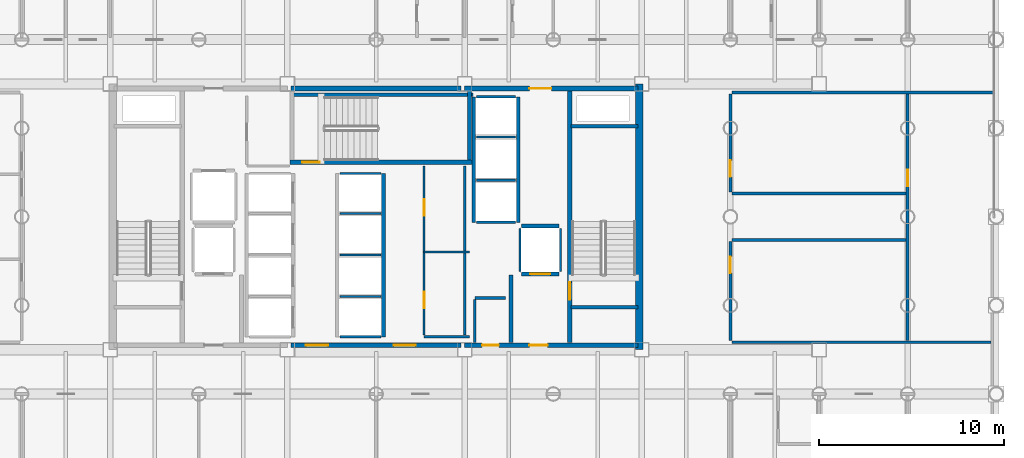
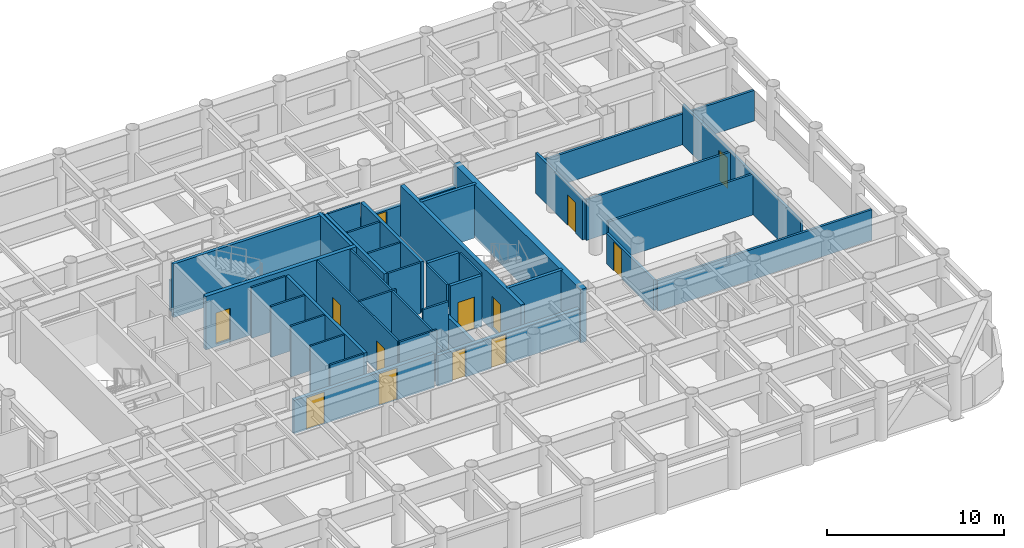
# One storey, part 18 of 22: 41 walls, 13 doors, 13 openings.
"""IFC4 building model written with IfcOpenShell, lengths in metres."""

import ifcopenshell
import ifcopenshell.guid

model = None  # the IFC model being written
_history = None  # IfcOwnerHistory: only IFC2X3 demands one
_inside = {}  # id of a spatial element -> (the spatial element, [elements in it])
_under = {}  # id of a project, library or spatial element -> (it, [spatial elements below it])
_declared = {}  # id of a project -> (the project, [libraries it declares])
_typed = {}  # id of a type object -> (the type object, [elements of that type])
_made_of = {}  # id of a material, layer set ... -> (it, [elements and type objects made of it])


def new_model(schema):
    """Start an empty IFC model of exactly this schema.

    Asked for "IFC4X3", IfcOpenShell would pick the latest addendum, in which some entities
    have other attributes; the version numbers below select the first issue.
    IFC2X3 requires an IfcOwnerHistory on every rooted entity: one is made here for all.
    """
    global model, _history
    if schema == "IFC4X3":
        model = ifcopenshell.file(schema_version=(4, 3, 0, 0))
    else:
        model = ifcopenshell.file(schema=schema)
    _inside.clear()
    _under.clear()
    _declared.clear()
    _typed.clear()
    _made_of.clear()
    _history = None
    if model.schema == "IFC2X3":
        org = make("IfcOrganization", Name="unknown")
        user = make(
            "IfcPersonAndOrganization",
            ThePerson=make("IfcPerson", FamilyName="unknown"),
            TheOrganization=org,
        )
        app = make(
            "IfcApplication",
            ApplicationDeveloper=org,
            Version="unknown",
            ApplicationFullName="unknown",
            ApplicationIdentifier="unknown",
        )
        _history = make(
            "IfcOwnerHistory",
            OwningUser=user,
            OwningApplication=app,
            ChangeAction="ADDED",
            CreationDate=0,
        )
    return model


def make(cls, **values):
    """One entity of the class cls with the attributes given. An attribute that is None is left unset."""
    return model.create_entity(
        cls, **{name: value for name, value in values.items() if value is not None}
    )


def rooted(cls, **values):
    """An entity with a GlobalId (a new one), such as an element, a storey or a relation."""
    return make(cls, GlobalId=ifcopenshell.guid.new(), OwnerHistory=_history, **values)


def si_unit(unit_type, name, prefix=None):
    """IfcSIUnit, for example si_unit("LENGTHUNIT", "METRE", prefix="MILLI")."""
    return make("IfcSIUnit", UnitType=unit_type, Prefix=prefix, Name=name)


def assignment(units):
    """IfcUnitAssignment: the units of a project."""
    return None if units is None else make("IfcUnitAssignment", Units=units)


def point(xyz):
    """IfcCartesianPoint."""
    return None if xyz is None else make("IfcCartesianPoint", Coordinates=xyz)


def direction(xyz):
    """IfcDirection."""
    return None if xyz is None else make("IfcDirection", DirectionRatios=xyz)


def frame(location, z_axis=None, x_axis=None):
    """IfcAxis2Placement3D, a coordinate frame: its origin and axes. An axis left out is left unset."""
    return make(
        "IfcAxis2Placement3D",
        Location=point(location),
        Axis=direction(z_axis),
        RefDirection=direction(x_axis),
    )


def frame_2d(location, x_axis=None):
    """IfcAxis2Placement2D, a coordinate frame in the plane: its origin and x axis."""
    return make(
        "IfcAxis2Placement2D", Location=point(location), RefDirection=direction(x_axis)
    )


def origin():
    """The frame at (0, 0, 0) with its axes left unset."""
    return frame((0.0, 0.0, 0.0))


def place(relative_to, where):
    """IfcLocalPlacement: puts the frame where relative to a parent placement (None: the world)."""
    return make(
        "IfcLocalPlacement", PlacementRelTo=relative_to, RelativePlacement=where
    )


def context(
    kind, dimensions, precision=None, world=None, true_north=None, identifier=None
):
    """IfcGeometricRepresentationContext, for example the 3D "Model" context."""
    return make(
        "IfcGeometricRepresentationContext",
        ContextIdentifier=identifier,
        ContextType=kind,
        CoordinateSpaceDimension=dimensions,
        Precision=precision,
        WorldCoordinateSystem=world,
        TrueNorth=true_north,
    )


def subcontext(parent, identifier, kind, view, scale=None):
    """IfcGeometricRepresentationSubContext, for example "Body" below "Model"."""
    return make(
        "IfcGeometricRepresentationSubContext",
        ContextIdentifier=identifier,
        ContextType=kind,
        ParentContext=parent,
        TargetScale=scale,
        TargetView=view,
    )


def project(units=None, contexts=None):
    """IfcProject with its units and contexts."""
    return rooted(
        "IfcProject",
        Name="project",
        RepresentationContexts=contexts,
        UnitsInContext=assignment(units),
    )


def spatial(cls, under=None, at=None, **own):
    """A site, building, storey or space (cls), placed at a placement, below another one or the project."""
    s = rooted(cls, ObjectPlacement=at, **own)
    if under is not None:
        _under.setdefault(under.id(), (under, []))[1].append(s)
    return s


def profile(cls, at=None, kind="AREA", **sizes):
    """A parametric profile (cls). Its sizes go by their IFC names, for example OverallWidth=200.0."""
    return make(cls, ProfileType=kind, Position=at, **sizes)


def rectangle(**sizes):
    """IfcRectangleProfileDef."""
    return profile("IfcRectangleProfileDef", **sizes)


def extrude(swept, where, along, depth):
    """IfcExtrudedAreaSolid: the profile swept, set in the frame where, extruded along a direction by depth."""
    return make(
        "IfcExtrudedAreaSolid",
        SweptArea=swept,
        Position=where,
        ExtrudedDirection=direction(along),
        Depth=depth,
    )


def shape(context_of_items, identifier, shape_type, items):
    """IfcShapeRepresentation: the items that make up one representation, for example the "Body"."""
    return make(
        "IfcShapeRepresentation",
        ContextOfItems=context_of_items,
        RepresentationIdentifier=identifier,
        RepresentationType=shape_type,
        Items=items,
    )


def material(Name=None, Category=None):
    """IfcMaterial."""
    return make("IfcMaterial", Name=Name, Category=Category)


def layer(
    of_material, thickness, ventilated=None, Name=None, Category=None, Priority=None
):
    """IfcMaterialLayer: one layer of a wall or slab, of a material (None: an air gap)."""
    return make(
        "IfcMaterialLayer",
        Material=of_material,
        LayerThickness=thickness,
        IsVentilated=ventilated,
        Name=Name,
        Category=Category,
        Priority=Priority,
    )


def layer_set(layers, Name=None):
    """IfcMaterialLayerSet."""
    return make("IfcMaterialLayerSet", MaterialLayers=layers, LayerSetName=Name)


def made_of(thing, what):
    """Note that an element or type object is made of a material, layer set ...; save() writes the relation."""
    if what is not None:
        _made_of.setdefault(what.id(), (what, []))[1].append(thing)
    return thing


def type_object(cls, material=None, **own):
    """A type object (cls), such as IfcWallType, which elements share."""
    return made_of(rooted(cls, **own), material)


def element(
    cls,
    number,
    at=None,
    inside=None,
    cuts=None,
    type_object=None,
    material=None,
    context=None,
    identifier="Body",
    shape_type=None,
    held_by="IfcProductDefinitionShape",
    body=None,
    shapes=None,
    **own,
):
    """One element of the class cls, such as IfcWall. Its Tag is "e" and its number.

    at: its placement. inside: the storey or other place that contains it. cuts: it is an
    opening in that element (IfcRelVoidsElement). A single representation is given by context,
    identifier, shape_type and body (its items); several are given by shapes. held_by: the class
    of the entity that holds the representations. save() writes the other relations.
    """
    e = rooted(cls, Tag="e%d" % number, ObjectPlacement=at, **own)
    if body is not None:
        shapes = [shape(context, identifier, shape_type, body)]
    if shapes is not None:
        e.Representation = make(held_by, Representations=shapes)
    if inside is not None:
        _inside.setdefault(inside.id(), (inside, []))[1].append(e)
    if cuts is not None:
        rooted(
            "IfcRelVoidsElement", RelatingBuildingElement=cuts, RelatedOpeningElement=e
        )
    if type_object is not None:
        _typed.setdefault(type_object.id(), (type_object, []))[1].append(e)
    return made_of(e, material)


def fill(opening, filler):
    """IfcRelFillsElement: the door or window that sits in an opening."""
    return rooted(
        "IfcRelFillsElement",
        RelatingOpeningElement=opening,
        RelatedBuildingElement=filler,
    )


def aggregate(whole, parts):
    """IfcRelAggregates: a whole, such as a stair, and the parts it consists of."""
    return rooted("IfcRelAggregates", RelatingObject=whole, RelatedObjects=parts)


def save(model, path):
    """Write the relations noted so far, then the file.

    IfcRelAggregates (storeys below a building ...), IfcRelContainedInSpatialStructure (elements
    in a storey), IfcRelDefinesByType, IfcRelAssociatesMaterial and IfcRelDeclares: one each for
    every whole, place, type object, material and project.
    """
    for whole, parts in _under.values():
        aggregate(whole, parts)
    for where, things in _inside.values():
        rooted(
            "IfcRelContainedInSpatialStructure",
            RelatedElements=things,
            RelatingStructure=where,
        )
    for kind, things in _typed.values():
        rooted("IfcRelDefinesByType", RelatedObjects=things, RelatingType=kind)
    for what, things in _made_of.values():
        rooted("IfcRelAssociatesMaterial", RelatedObjects=things, RelatingMaterial=what)
    for by, libraries in _declared.values():
        rooted("IfcRelDeclares", RelatingContext=by, RelatedDefinitions=libraries)
    model.write(path)


model = new_model("IFC4")

# Units and contexts
model_context = context("Model", 3, precision=1e-05, world=origin(), true_north=direction((0.0, 1.0)))
body_context = subcontext(model_context, "Body", "Model", "MODEL_VIEW")
ifc_project = project(units=[si_unit("LENGTHUNIT", "METRE"), si_unit("AREAUNIT", "SQUARE_METRE"), si_unit("VOLUMEUNIT", "CUBIC_METRE"), si_unit("PLANEANGLEUNIT", "RADIAN"), si_unit("MASSUNIT", "GRAM", prefix="KILO")], contexts=[model_context])

# Site, building, storey
site_placement = place(None, origin())
site = spatial("IfcSite", under=ifc_project, at=site_placement, CompositionType="ELEMENT")
building_placement = place(site_placement, origin())
building = spatial("IfcBuilding", under=site, at=building_placement, Name="Kallvorn Hotel Tower", CompositionType="ELEMENT")
storey_placement = place(building_placement, frame((0.0, 0.0, 59.60009765625)))
storey = spatial("IfcBuildingStorey", under=building, at=storey_placement, Name="L13", CompositionType="ELEMENT", Elevation=59.60009765625)

# Walls
ifc_material_1 = material(Name="Concrete C50/60", Category="concrete")
ifc_layer_1 = layer(ifc_material_1, 0.39990234375)
ifc_layer_set_1 = layer_set([ifc_layer_1], Name="WL_CORE_400")
wall_type_1 = type_object("IfcWallType", Name="WL_CORE_400", PredefinedType="SHEAR", material=ifc_layer_set_1)
wall_1_placement = place(storey_placement, frame((14.264892578125, -7.199951171875, -0.18017578125), z_axis=(0.0, 0.0, 1.0), x_axis=(0.0, 1.0, 0.0)))
element("IfcWall", 1, at=wall_1_placement, inside=storey, type_object=wall_type_1, Name="L13 Core East Shear Wall", PredefinedType="SHEAR", context=body_context, shape_type="SweptSolid", body=[
    extrude(rectangle(XDim=14.39990234375, YDim=0.39990234375, at=frame_2d((7.199951171875, 0.0))), origin(), (0.0, 0.0, 1.0), 3.7001953125),
])
ifc_material_2 = material(Name="Concrete C40/50", Category="concrete")
ifc_layer_2 = layer(ifc_material_2, 0.219970703125)
ifc_layer_set_2 = layer_set([ifc_layer_2], Name="WL_FFL_220")
wall_type_2 = type_object("IfcWallType", Name="WL_FFL_220", PredefinedType="SOLIDWALL", material=ifc_layer_set_2)
wall_2_placement = place(storey_placement, frame((7.300048828125, -6.820068359375, 0.0), z_axis=(0.0, 0.0, 1.0), x_axis=(0.0, 1.0, 0.0)))
element("IfcWall", 2, at=wall_2_placement, inside=storey, type_object=wall_type_2, Name="L13 Firefighting Lobby East Divider Wall", PredefinedType="SOLIDWALL", context=body_context, shape_type="SweptSolid", body=[
    extrude(rectangle(XDim=3.670166015625, YDim=0.219970703125, at=frame_2d((1.8349609375, 0.0))), origin(), (0.0, 0.0, 1.0), 2.119873046875),
])
ifc_material_3 = material(Name="Concrete C40/50", Category="concrete")
ifc_layer_3 = layer(ifc_material_3, 0.199951171875)
ifc_layer_set_3 = layer_set([ifc_layer_3], Name="WL_HOIST_200")
wall_type_3 = type_object("IfcWallType", Name="WL_HOIST_200", PredefinedType="SOLIDWALL", material=ifc_layer_set_3)
for number, where, z_axis, x_axis, name in (
    (3, (10.550048828125, -4.89990234375, -0.18017578125), (0.0, 0.0, 1.0), (1.0, 0.0, 0.0), "L13 Stair ST2 South Wall"),
    (4, (10.550048828125, 4.89990234375, -0.18017578125), (0.0, 0.0, 1.0), (1.0, 0.0, 0.0), "L13 Stair ST2 North Wall"),
):
    element("IfcWall", number, at=place(storey_placement, frame(where, z_axis=z_axis, x_axis=x_axis)), inside=storey, type_object=wall_type_3, Name=name, PredefinedType="SOLIDWALL", context=body_context, shape_type="SweptSolid", body=[
        extrude(rectangle(XDim=3.64990234375, YDim=0.199951171875, at=frame_2d((1.824951171875, 0.0))), origin(), (0.0, 0.0, 1.0), 3.7001953125),
    ])
wall_3_placement = place(storey_placement, frame((-4.64990234375, 6.610107421875, -0.18017578125), z_axis=(0.0, 0.0, 1.0), x_axis=(1.0, 0.0, 0.0)))
element("IfcWall", 5, at=wall_3_placement, inside=storey, type_object=wall_type_3, Name="L13 Stair ST3 Shaft North Wall", PredefinedType="SOLIDWALL", context=body_context, shape_type="SweptSolid", body=[
    extrude(rectangle(XDim=9.89990234375, YDim=0.199951171875, at=frame_2d((4.949951171875, 0.0))), origin(), (0.0, 0.0, 1.0), 3.7001953125),
])
wall_4_placement = place(storey_placement, frame((5.06005859375, 3.080078125, -0.18017578125), z_axis=(0.0, 0.0, 1.0), x_axis=(0.0, 1.0, 0.0)))
element("IfcWall", 6, at=wall_4_placement, inside=storey, type_object=wall_type_3, Name="L13 Stair ST3 East Wall", PredefinedType="SOLIDWALL", context=body_context, shape_type="SweptSolid", body=[
    extrude(rectangle(XDim=3.739990234375, YDim=0.199951171875, at=frame_2d((1.8701171875, 0.0))), origin(), (0.0, 0.0, 1.0), 3.7001953125),
])
wall_5_placement = place(storey_placement, frame((0.39990234375, -6.5, 0.0), z_axis=(0.0, 0.0, 1.0), x_axis=(0.0, 1.0, 0.0)))
element("IfcWall", 7, at=wall_5_placement, inside=storey, type_object=wall_type_3, Name="L13 Lift Bank B2 Rear Shaft Wall", PredefinedType="SOLIDWALL", context=body_context, shape_type="SweptSolid", body=[
    extrude(rectangle(XDim=8.85009765625, YDim=0.199951171875, at=frame_2d((4.425048828125, 0.0))), origin(), (0.0, 0.0, 1.0), 3.52001953125),
])
for number, where, z_axis, x_axis, name in (
    (8, (7.699951171875, -0.300048828125, 0.0), (0.0, 0.0, 1.0), (0.0, 1.0, 0.0), "L13 Lift Bank OBS Landing Wall"),
    (9, (5.300048828125, -0.300048828125, 0.0), (0.0, 0.0, 1.0), (0.0, 1.0, 0.0), "L13 Lift Bank OBS Rear Shaft Wall"),
):
    element("IfcWall", number, at=place(storey_placement, frame(where, z_axis=z_axis, x_axis=x_axis)), inside=storey, type_object=wall_type_3, Name=name, PredefinedType="SOLIDWALL", context=body_context, shape_type="SweptSolid", body=[
        extrude(rectangle(XDim=6.800048828125, YDim=0.199951171875, at=frame_2d((3.39990234375, 0.0))), origin(), (0.0, 0.0, 1.0), 3.52001953125),
    ])

# Wall, opening, door
wall_6_placement = place(storey_placement, frame((7.8798828125, -3.10009765625, 0.0), z_axis=(0.0, 0.0, 1.0), x_axis=(1.0, 0.0, 0.0)))
wall_6 = element("IfcWall", 10, at=wall_6_placement, inside=storey, type_object=wall_type_3, Name="L13 FL-2 Landing Wall", PredefinedType="SOLIDWALL", context=body_context, shape_type="SweptSolid", body=[
    extrude(rectangle(XDim=2.0400390625, YDim=0.199951171875, at=frame_2d((1.02001953125, 0.0))), origin(), (0.0, 0.0, 1.0), 3.52001953125),
])
opening_1_placement = place(wall_6_placement, frame((0.469970703125, 0.0, 0.0)))
opening_1 = element("IfcOpeningElement", 11, at=opening_1_placement, cuts=wall_6, Name="Opening LD-FL-2", PredefinedType="OPENING", context=body_context, shape_type="SweptSolid", body=[
    extrude(rectangle(XDim=1.10009765625, YDim=2.199951171875, at=frame_2d((0.550048828125, 1.10009765625))), frame((0.0, 0.114990234375, 0.0), z_axis=(0.0, -1.0, 0.0), x_axis=(1.0, 0.0, 0.0)), (0.0, 0.0, 1.0), 0.22998046875),
])
ifc_material_4 = material(Name="Brushed stainless-steel automatic sliding lift landing door", Category="steel")
door_type_1 = type_object("IfcDoorType", Name="LD_PASS_1100x2200", OperationType="SLIDING_TO_LEFT", PredefinedType="DOOR", material=ifc_material_4)
door_1_placement = place(opening_1_placement, origin())
door_1 = element("IfcDoor", 12, at=door_1_placement, inside=storey, type_object=door_type_1, Name="L13 Lift Landing Sliding Door LD-FL-2", OperationType="SLIDING_TO_LEFT", OverallHeight=2.199951171875, OverallWidth=1.10009765625, PredefinedType="DOOR", context=body_context, shape_type="SweptSolid", body=[
    extrude(rectangle(XDim=1.10009765625, YDim=2.199951171875, at=frame_2d((0.550048828125, 1.10009765625))), frame((0.0, 0.02490234375, 0.0), z_axis=(0.0, -1.0, 0.0), x_axis=(1.0, 0.0, 0.0)), (0.0, 0.0, 1.0), 0.050048828125),
])
fill(opening_1, door_1)

# Walls
wall_7_placement = place(storey_placement, frame((7.8798828125, -0.5, 0.0), z_axis=(0.0, 0.0, 1.0), x_axis=(1.0, 0.0, 0.0)))
element("IfcWall", 13, at=wall_7_placement, inside=storey, type_object=wall_type_3, Name="L13 FL-2 Rear Shaft Wall", PredefinedType="SOLIDWALL", context=body_context, shape_type="SweptSolid", body=[
    extrude(rectangle(XDim=2.0400390625, YDim=0.199951171875, at=frame_2d((1.02001953125, 0.0))), origin(), (0.0, 0.0, 1.0), 3.52001953125),
])
ifc_material_5 = material(Name="Fire-rated double-layer acoustic gypsum drywall EI 60")
ifc_layer_4 = layer(ifc_material_5, 0.1201171875)
ifc_layer_set_4 = layer_set([ifc_layer_4], Name="WL_INT_120")
wall_type_4 = type_object("IfcWallType", Name="WL_INT_120", PredefinedType="PARTITIONING", material=ifc_layer_set_4)
for number, where, z_axis, x_axis, name in (
    (14, (-1.9599609375, -6.5, 0.0), (0.0, 0.0, 1.0), (1.0, 0.0, 0.0), "L13 Lift Bank B2 South Closure Wall"),
    (15, (-1.9599609375, -4.324951171875, 0.0), (0.0, 0.0, 1.0), (1.0, 0.0, 0.0), "L13 PL-05 Hoistway Divider"),
    (16, (-1.9599609375, -2.074951171875, 0.0), (0.0, 0.0, 1.0), (1.0, 0.0, 0.0), "L13 PL-06 Hoistway Divider"),
    (17, (-1.9599609375, 0.175048828125, 0.0), (0.0, 0.0, 1.0), (1.0, 0.0, 0.0), "L13 PL-07 Hoistway Divider"),
    (18, (-1.9599609375, 2.35009765625, 0.0), (0.0, 0.0, 1.0), (1.0, 0.0, 0.0), "L13 PL-08 Hoistway Divider"),
):
    element("IfcWall", number, at=place(storey_placement, frame(where, z_axis=z_axis, x_axis=x_axis)), inside=storey, type_object=wall_type_4, Name=name, PredefinedType="PARTITIONING", context=body_context, shape_type="SweptSolid", body=[
        extrude(rectangle(XDim=2.219970703125, YDim=0.1201171875, at=frame_2d((1.10986328125, 0.0))), origin(), (0.0, 0.0, 1.0), 3.52001953125),
    ])
for number, where, z_axis, x_axis, name in (
    (19, (5.43994140625, -0.300048828125, 0.0), (0.0, 0.0, 1.0), (1.0, 0.0, 0.0), "L13 Lift Bank OBS South Closure Wall"),
    (20, (5.43994140625, 1.97509765625, 0.0), (0.0, 0.0, 1.0), (1.0, 0.0, 0.0), "L13 OB-01 Hoistway Divider"),
    (21, (5.43994140625, 4.324951171875, 0.0), (0.0, 0.0, 1.0), (1.0, 0.0, 0.0), "L13 OB-02 Hoistway Divider"),
    (22, (5.43994140625, 6.5, 0.0), (0.0, 0.0, 1.0), (1.0, 0.0, 0.0), "L13 OB-03 Hoistway Divider"),
):
    element("IfcWall", number, at=place(storey_placement, frame(where, z_axis=z_axis, x_axis=x_axis)), inside=storey, type_object=wall_type_4, Name=name, PredefinedType="PARTITIONING", context=body_context, shape_type="SweptSolid", body=[
        extrude(rectangle(XDim=2.1201171875, YDim=0.1201171875, at=frame_2d((1.06005859375, 0.0))), origin(), (0.0, 0.0, 1.0), 3.52001953125),
    ])
for number, where, z_axis, x_axis, name in (
    (23, (7.800048828125, -2.9599609375, 0.0), (0.0, 0.0, 1.0), (0.0, 1.0, 0.0), "L13 FL-2 West Shaft Wall"),
    (24, (10.0, -2.9599609375, 0.0), (0.0, 0.0, 1.0), (0.0, 1.0, 0.0), "L13 FL-2 East Shaft Wall"),
):
    element("IfcWall", number, at=place(storey_placement, frame(where, z_axis=z_axis, x_axis=x_axis)), inside=storey, type_object=wall_type_4, Name=name, PredefinedType="PARTITIONING", context=body_context, shape_type="SweptSolid", body=[
        extrude(rectangle(XDim=2.320068359375, YDim=0.1201171875, at=frame_2d((1.16015625, 0.0))), origin(), (0.0, 0.0, 1.0), 3.52001953125),
    ])
for number, where, z_axis, x_axis, name in (
    (25, (2.60009765625, -6.5, 0.0), (0.0, 0.0, 1.0), (1.0, 0.0, 0.0), "L13 East Core Amenities and Minibar Store Partition"),
    (26, (2.60009765625, -1.89990234375, 0.0), (0.0, 0.0, 1.0), (1.0, 0.0, 0.0), "L13 East Core Amenities and Minibar Store Partition"),
):
    element("IfcWall", number, at=place(storey_placement, frame(where, z_axis=z_axis, x_axis=x_axis)), inside=storey, type_object=wall_type_4, Name=name, PredefinedType="PARTITIONING", context=body_context, shape_type="SweptSolid", body=[
        extrude(rectangle(XDim=2.449951171875, YDim=0.1201171875, at=frame_2d((1.22509765625, 0.0))), origin(), (0.0, 0.0, 1.0), 3.52001953125),
    ])

# Wall, openings, doors
wall_8_placement = place(storey_placement, frame((2.60009765625, -6.4150390625, 0.0), z_axis=(0.0, 0.0, 1.0), x_axis=(0.0, 1.0, 0.0)))
wall_8 = element("IfcWall", 27, at=wall_8_placement, inside=storey, type_object=wall_type_4, Name="L13 East Core Amenities and Minibar Store Partition", PredefinedType="PARTITIONING", context=body_context, shape_type="SweptSolid", body=[
    extrude(rectangle(XDim=9.1650390625, YDim=0.1201171875, at=frame_2d((4.58251953125, 0.0))), origin(), (0.0, 0.0, 1.0), 3.52001953125),
])
opening_2_placement = place(wall_8_placement, frame((1.465087890625, 0.0, 0.0)))
opening_2 = element("IfcOpeningElement", 28, at=opening_2_placement, cuts=wall_8, Name="Opening SVD1", PredefinedType="OPENING", context=body_context, shape_type="SweptSolid", body=[
    extrude(rectangle(XDim=0.89990234375, YDim=2.10009765625, at=frame_2d((0.449951171875, 1.050048828125))), frame((0.0, 0.074951171875, 0.0), z_axis=(0.0, -1.0, 0.0), x_axis=(1.0, 0.0, 0.0)), (0.0, 0.0, 1.0), 0.150146484375),
])
opening_3_placement = place(wall_8_placement, frame((6.465087890625, 0.0, 0.0)))
opening_3 = element("IfcOpeningElement", 29, at=opening_3_placement, cuts=wall_8, Name="Opening SVD1", PredefinedType="OPENING", context=body_context, shape_type="SweptSolid", body=[
    extrude(rectangle(XDim=0.89990234375, YDim=2.10009765625, at=frame_2d((0.449951171875, 1.050048828125))), frame((0.0, 0.074951171875, 0.0), z_axis=(0.0, -1.0, 0.0), x_axis=(1.0, 0.0, 0.0)), (0.0, 0.0, 1.0), 0.150146484375),
])
ifc_material_6 = material(Name="Galvanised painted steel fire-rated door assembly", Category="steel")
door_type_2 = type_object("IfcDoorType", Name="DR_SERV_900x2100", OperationType="NOTDEFINED", PredefinedType="DOOR", material=ifc_material_6)
door_2_placement = place(opening_2_placement, origin())
door_2 = element("IfcDoor", 30, at=door_2_placement, inside=storey, type_object=door_type_2, Name="L13 East Core Amenities and Minibar Store Door", OperationType="SINGLE_SWING_RIGHT", OverallHeight=2.10009765625, OverallWidth=0.89990234375, PredefinedType="DOOR", context=body_context, shape_type="SweptSolid", body=[
    extrude(rectangle(XDim=0.89990234375, YDim=2.10009765625, at=frame_2d((0.449951171875, 1.050048828125))), frame((0.0, 0.02490234375, 0.0), z_axis=(0.0, -1.0, 0.0), x_axis=(1.0, 0.0, 0.0)), (0.0, 0.0, 1.0), 0.050048828125),
])
fill(opening_2, door_2)
door_3_placement = place(opening_3_placement, origin())
door_3 = element("IfcDoor", 31, at=door_3_placement, inside=storey, type_object=door_type_2, Name="L13 East Core Cleaners and Janitor Room Door", OperationType="SINGLE_SWING_LEFT", OverallHeight=2.10009765625, OverallWidth=0.89990234375, PredefinedType="DOOR", context=body_context, shape_type="SweptSolid", body=[
    extrude(rectangle(XDim=0.89990234375, YDim=2.10009765625, at=frame_2d((0.449951171875, 1.050048828125))), frame((0.0, 0.02490234375, 0.0), z_axis=(0.0, -1.0, 0.0), x_axis=(1.0, 0.0, 0.0)), (0.0, 0.0, 1.0), 0.050048828125),
])
fill(opening_3, door_3)

# Walls
wall_9_placement = place(storey_placement, frame((4.800048828125, -6.4150390625, 0.0), z_axis=(0.0, 0.0, 1.0), x_axis=(0.0, 1.0, 0.0)))
element("IfcWall", 32, at=wall_9_placement, inside=storey, type_object=wall_type_4, Name="L13 East Core Amenities and Minibar Store Partition", PredefinedType="PARTITIONING", context=body_context, shape_type="SweptSolid", body=[
    extrude(rectangle(XDim=9.1650390625, YDim=0.1201171875, at=frame_2d((4.58251953125, 0.0))), origin(), (0.0, 0.0, 1.0), 3.52001953125),
])
ifc_material_7 = material(Name="Fire-rated double-layer acoustic gypsum drywall EI 60")
ifc_layer_5 = layer(ifc_material_7, 0.14990234375)
ifc_layer_set_5 = layer_set([ifc_layer_5], Name="WL_PART_150")
wall_type_5 = type_object("IfcWallType", Name="WL_PART_150", PredefinedType="PARTITIONING", material=ifc_layer_set_5)
wall_10_placement = place(storey_placement, frame((19.280029296875, -6.800048828125, 0.0), z_axis=(0.0, 0.0, 1.0), x_axis=(1.0, 0.0, 0.0)))
element("IfcWall", 33, at=wall_10_placement, inside=storey, type_object=wall_type_5, Name="L13 L13 East Inner Club Bar Partition", PredefinedType="PARTITIONING", context=body_context, shape_type="SweptSolid", body=[
    extrude(rectangle(XDim=14.030029296875, YDim=0.14990234375, at=frame_2d((7.01513671875, 0.0))), origin(), (0.0, 0.0, 1.0), 2.119873046875),
])
for number, where, z_axis, x_axis, name in (
    (34, (19.280029296875, -1.260009765625, 0.0), (0.0, 0.0, 1.0), (1.0, 0.0, 0.0), "L13 L13 East Inner Club Bar Partition"),
    (35, (19.280029296875, 1.260009765625, 0.0), (0.0, 0.0, 1.0), (1.0, 0.0, 0.0), "L13 L13 East Inner Screening Salon Partition"),
):
    element("IfcWall", number, at=place(storey_placement, frame(where, z_axis=z_axis, x_axis=x_axis)), inside=storey, type_object=wall_type_5, Name=name, PredefinedType="PARTITIONING", context=body_context, shape_type="SweptSolid", body=[
        extrude(rectangle(XDim=9.43994140625, YDim=0.14990234375, at=frame_2d((4.719970703125, 0.0))), origin(), (0.0, 0.0, 1.0), 2.81982421875),
    ])
wall_11_placement = place(storey_placement, frame((19.280029296875, 6.737548828125, 0.0), z_axis=(0.0, 0.0, 1.0), x_axis=(1.0, 0.0, 0.0)))
element("IfcWall", 36, at=wall_11_placement, inside=storey, type_object=wall_type_5, Name="L13 L13 East Inner Screening Salon Partition", PredefinedType="PARTITIONING", context=body_context, shape_type="SweptSolid", body=[
    extrude(rectangle(XDim=14.14990234375, YDim=0.14990234375, at=frame_2d((7.074951171875, 0.0))), origin(), (0.0, 0.0, 1.0), 2.119873046875),
])

# Wall, opening, door
wall_12_placement = place(storey_placement, frame((19.199951171875, -6.715087890625, 0.0), z_axis=(0.0, 0.0, 1.0), x_axis=(0.0, 1.0, 0.0)))
wall_12 = element("IfcWall", 37, at=wall_12_placement, inside=storey, type_object=wall_type_5, Name="L13 L13 East Inner Club Bar Partition", PredefinedType="PARTITIONING", context=body_context, shape_type="SweptSolid", body=[
    extrude(rectangle(XDim=5.3701171875, YDim=0.14990234375, at=frame_2d((2.68505859375, 0.0))), origin(), (0.0, 0.0, 1.0), 2.119873046875),
])
opening_4_placement = place(wall_12_placement, frame((3.66015625, 0.0, 0.0)))
opening_4 = element("IfcOpeningElement", 38, at=opening_4_placement, cuts=wall_12, Name="Opening SVD1A", PredefinedType="OPENING", context=body_context, shape_type="SweptSolid", body=[
    extrude(rectangle(XDim=0.89990234375, YDim=2.02001953125, at=frame_2d((0.449951171875, 1.010009765625))), frame((0.0, 0.08984375, 0.0), z_axis=(0.0, -1.0, 0.0), x_axis=(1.0, 0.0, 0.0)), (0.0, 0.0, 1.0), 0.179931640625),
])
ifc_material_8 = material(Name="Galvanised painted steel fire-rated door assembly", Category="steel")
door_type_3 = type_object("IfcDoorType", Name="DR_SERV_900x2020", OperationType="NOTDEFINED", PredefinedType="DOOR", material=ifc_material_8)
door_4_placement = place(opening_4_placement, origin())
door_4 = element("IfcDoor", 39, at=door_4_placement, inside=storey, type_object=door_type_3, Name="L13 L13 East Inner Club Bar Door", OperationType="SINGLE_SWING_RIGHT", OverallHeight=2.02001953125, OverallWidth=0.89990234375, PredefinedType="DOOR", context=body_context, shape_type="SweptSolid", body=[
    extrude(rectangle(XDim=0.89990234375, YDim=2.02001953125, at=frame_2d((0.449951171875, 1.010009765625))), frame((0.0, 0.02490234375, 0.0), z_axis=(0.0, -1.0, 0.0), x_axis=(1.0, 0.0, 0.0)), (0.0, 0.0, 1.0), 0.050048828125),
])
fill(opening_4, door_4)

wall_13_placement = place(storey_placement, frame((19.199951171875, 1.344970703125, 0.0), z_axis=(0.0, 0.0, 1.0), x_axis=(0.0, 1.0, 0.0)))
wall_13 = element("IfcWall", 40, at=wall_13_placement, inside=storey, type_object=wall_type_5, Name="L13 L13 East Inner Screening Salon Partition", PredefinedType="PARTITIONING", context=body_context, shape_type="SweptSolid", body=[
    extrude(rectangle(XDim=5.3076171875, YDim=0.14990234375, at=frame_2d((2.65380859375, 0.0))), origin(), (0.0, 0.0, 1.0), 2.81982421875),
])
opening_5_placement = place(wall_13_placement, frame((0.815185546875, 0.0, 0.0)))
opening_5 = element("IfcOpeningElement", 41, at=opening_5_placement, cuts=wall_13, Name="Opening SVD1", PredefinedType="OPENING", context=body_context, shape_type="SweptSolid", body=[
    extrude(rectangle(XDim=0.89990234375, YDim=2.10009765625, at=frame_2d((0.449951171875, 1.050048828125))), frame((0.0, 0.08984375, 0.0), z_axis=(0.0, -1.0, 0.0), x_axis=(1.0, 0.0, 0.0)), (0.0, 0.0, 1.0), 0.179931640625),
])
door_5_placement = place(opening_5_placement, origin())
door_5 = element("IfcDoor", 42, at=door_5_placement, inside=storey, type_object=door_type_2, Name="L13 L13 East Inner Screening Salon Door", OperationType="SINGLE_SWING_LEFT", OverallHeight=2.10009765625, OverallWidth=0.89990234375, PredefinedType="DOOR", context=body_context, shape_type="SweptSolid", body=[
    extrude(rectangle(XDim=0.89990234375, YDim=2.10009765625, at=frame_2d((0.449951171875, 1.050048828125))), frame((0.0, 0.02490234375, 0.0), z_axis=(0.0, -1.0, 0.0), x_axis=(1.0, 0.0, 0.0)), (0.0, 0.0, 1.0), 0.050048828125),
])
fill(opening_5, door_5)

wall_14_placement = place(storey_placement, frame((28.800048828125, -6.715087890625, 0.0), z_axis=(0.0, 0.0, 1.0), x_axis=(0.0, 1.0, 0.0)))
wall_14 = element("IfcWall", 43, at=wall_14_placement, inside=storey, type_object=wall_type_5, Name="L13 L13 East Inner Club Bar Partition", PredefinedType="PARTITIONING", context=body_context, shape_type="SweptSolid", body=[
    extrude(rectangle(XDim=13.36767578125, YDim=0.14990234375, at=frame_2d((6.683837890625, 0.0))), origin(), (0.0, 0.0, 1.0), 2.81982421875),
])
opening_6_placement = place(wall_14_placement, frame((8.370849609375, 0.0, 0.0)))
opening_6 = element("IfcOpeningElement", 44, at=opening_6_placement, cuts=wall_14, Name="Opening SVD1", PredefinedType="OPENING", context=body_context, shape_type="SweptSolid", body=[
    extrude(rectangle(XDim=0.89990234375, YDim=2.10009765625, at=frame_2d((0.449951171875, 1.050048828125))), frame((0.0, 0.08984375, 0.0), z_axis=(0.0, -1.0, 0.0), x_axis=(1.0, 0.0, 0.0)), (0.0, 0.0, 1.0), 0.179931640625),
])
door_6_placement = place(opening_6_placement, origin())
door_6 = element("IfcDoor", 45, at=door_6_placement, inside=storey, type_object=door_type_2, Name="L13 L13 E Cordillera Panorama Dining Salon Door", OperationType="SINGLE_SWING_RIGHT", OverallHeight=2.10009765625, OverallWidth=0.89990234375, PredefinedType="DOOR", context=body_context, shape_type="SweptSolid", body=[
    extrude(rectangle(XDim=0.89990234375, YDim=2.10009765625, at=frame_2d((0.449951171875, 1.050048828125))), frame((0.0, 0.02490234375, 0.0), z_axis=(0.0, -1.0, 0.0), x_axis=(1.0, 0.0, 0.0)), (0.0, 0.0, 1.0), 0.050048828125),
])
fill(opening_6, door_6)

# Walls
ifc_material_9 = material(Name="Moisture-resistant acoustic plumbing chase wall EI 60")
ifc_layer_6 = layer(ifc_material_9, 0.139892578125)
ifc_layer_set_6 = layer_set([ifc_layer_6], Name="WL_PLUMB_140")
wall_type_6 = type_object("IfcWallType", Name="WL_PLUMB_140", PredefinedType="PLUMBINGWALL", material=ifc_layer_set_6)
wall_15_placement = place(storey_placement, frame((5.35009765625, -4.39990234375, 0.0), z_axis=(0.0, 0.0, 1.0), x_axis=(1.0, 0.0, 0.0)))
element("IfcWall", 46, at=wall_15_placement, inside=storey, type_object=wall_type_6, Name="L13 Core Staff Restroom WC Partition", PredefinedType="PLUMBINGWALL", context=body_context, shape_type="SweptSolid", body=[
    extrude(rectangle(XDim=1.64990234375, YDim=0.139892578125, at=frame_2d((0.824951171875, 0.0))), origin(), (0.0, 0.0, 1.0), 3.52001953125),
])
wall_16_placement = place(storey_placement, frame((5.35009765625, -6.800048828125, 0.0), z_axis=(0.0, 0.0, 1.0), x_axis=(0.0, 1.0, 0.0)))
element("IfcWall", 47, at=wall_16_placement, inside=storey, type_object=wall_type_6, Name="L13 Core Staff Restroom WC Partition", PredefinedType="PLUMBINGWALL", context=body_context, shape_type="SweptSolid", body=[
    extrude(rectangle(XDim=2.31494140625, YDim=0.139892578125, at=frame_2d((1.157470703125, 0.0))), origin(), (0.0, 0.0, 1.0), 2.119873046875),
])

# Wall, openings, doors
ifc_material_10 = material(Name="Concrete C40/50", Category="concrete")
ifc_layer_7 = layer(ifc_material_10, 0.25)
ifc_layer_set_7 = layer_set([ifc_layer_7], Name="WL_SHAFT_250")
wall_type_7 = type_object("IfcWallType", Name="WL_SHAFT_250", PredefinedType="SOLIDWALL", material=ifc_layer_set_7)
wall_17_placement = place(storey_placement, frame((-4.60009765625, -6.949951171875, 0.0), z_axis=(0.0, 0.0, 1.0), x_axis=(1.0, 0.0, 0.0)))
wall_17 = element("IfcWall", 48, at=wall_17_placement, inside=storey, type_object=wall_type_7, Name="L13 Core South-Central Wall", PredefinedType="SOLIDWALL", context=body_context, shape_type="SweptSolid", body=[
    extrude(rectangle(XDim=9.2001953125, YDim=0.25, at=frame_2d((4.60009765625, 0.0))), origin(), (0.0, 0.0, 1.0), 2.31982421875),
])
opening_7_placement = place(wall_17_placement, frame((0.800048828125, 0.0, 0.0)))
opening_7 = element("IfcOpeningElement", 49, at=opening_7_placement, cuts=wall_17, Name="Opening FD2", PredefinedType="OPENING", context=body_context, shape_type="SweptSolid", body=[
    extrude(rectangle(XDim=1.199951171875, YDim=2.199951171875, at=frame_2d((0.60009765625, 1.10009765625))), frame((0.0, 0.139892578125, 0.0), z_axis=(0.0, -1.0, 0.0), x_axis=(1.0, 0.0, 0.0)), (0.0, 0.0, 1.0), 0.280029296875),
])
opening_8_placement = place(wall_17_placement, frame((5.550048828125, 0.0, 0.0)))
opening_8 = element("IfcOpeningElement", 50, at=opening_8_placement, cuts=wall_17, Name="Opening FD2", PredefinedType="OPENING", context=body_context, shape_type="SweptSolid", body=[
    extrude(rectangle(XDim=1.199951171875, YDim=2.199951171875, at=frame_2d((0.60009765625, 1.10009765625))), frame((0.0, 0.139892578125, 0.0), z_axis=(0.0, -1.0, 0.0), x_axis=(1.0, 0.0, 0.0)), (0.0, 0.0, 1.0), 0.280029296875),
])
ifc_material_11 = material(Name="Galvanised painted steel fire-rated door assembly", Category="steel")
door_type_4 = type_object("IfcDoorType", Name="DR_LOBBY_1200x2200", OperationType="DOUBLE_DOOR_SINGLE_SWING", PredefinedType="DOOR", material=ifc_material_11)
door_7_placement = place(opening_7_placement, origin())
door_7 = element("IfcDoor", 51, at=door_7_placement, inside=storey, type_object=door_type_4, Name="L13 West Passenger Lift Lobby Door", OperationType="DOUBLE_DOOR_SINGLE_SWING", OverallHeight=2.199951171875, OverallWidth=1.199951171875, PredefinedType="DOOR", context=body_context, shape_type="SweptSolid", body=[
    extrude(rectangle(XDim=1.199951171875, YDim=2.199951171875, at=frame_2d((0.60009765625, 1.10009765625))), frame((0.0, 0.02490234375, 0.0), z_axis=(0.0, -1.0, 0.0), x_axis=(1.0, 0.0, 0.0)), (0.0, 0.0, 1.0), 0.050048828125),
])
fill(opening_7, door_7)
door_8_placement = place(opening_8_placement, origin())
door_8 = element("IfcDoor", 52, at=door_8_placement, inside=storey, type_object=door_type_4, Name="L13 East Passenger Lift Lobby Door", OperationType="DOUBLE_DOOR_SINGLE_SWING", OverallHeight=2.199951171875, OverallWidth=1.199951171875, PredefinedType="DOOR", context=body_context, shape_type="SweptSolid", body=[
    extrude(rectangle(XDim=1.199951171875, YDim=2.199951171875, at=frame_2d((0.60009765625, 1.10009765625))), frame((0.0, 0.02490234375, 0.0), z_axis=(0.0, -1.0, 0.0), x_axis=(1.0, 0.0, 0.0)), (0.0, 0.0, 1.0), 0.050048828125),
])
fill(opening_8, door_8)

wall_18_placement = place(storey_placement, frame((4.800048828125, -6.949951171875, 0.0), z_axis=(0.0, 0.0, 1.0), x_axis=(1.0, 0.0, 0.0)))
wall_18 = element("IfcWall", 53, at=wall_18_placement, inside=storey, type_object=wall_type_7, Name="L13 Core South-East Wall", PredefinedType="SOLIDWALL", context=body_context, shape_type="SweptSolid", body=[
    extrude(rectangle(XDim=9.39990234375, YDim=0.25, at=frame_2d((4.699951171875, 0.0))), origin(), (0.0, 0.0, 1.0), 2.119873046875),
])
opening_9_placement = place(wall_18_placement, frame((3.5, 0.0, 0.0)))
opening_9 = element("IfcOpeningElement", 54, at=opening_9_placement, cuts=wall_18, Name="Opening FD1A", PredefinedType="OPENING", context=body_context, shape_type="SweptSolid", body=[
    extrude(rectangle(XDim=1.0, YDim=2.02001953125, at=frame_2d((0.5, 1.010009765625))), frame((0.0, 0.139892578125, 0.0), z_axis=(0.0, -1.0, 0.0), x_axis=(1.0, 0.0, 0.0)), (0.0, 0.0, 1.0), 0.280029296875),
])
opening_10_placement = place(wall_18_placement, frame((0.949951171875, 0.0, 0.0)))
opening_10 = element("IfcOpeningElement", 55, at=opening_10_placement, cuts=wall_18, Name="Opening SVD1A", PredefinedType="OPENING", context=body_context, shape_type="SweptSolid", body=[
    extrude(rectangle(XDim=0.89990234375, YDim=2.02001953125, at=frame_2d((0.449951171875, 1.010009765625))), frame((0.0, 0.139892578125, 0.0), z_axis=(0.0, -1.0, 0.0), x_axis=(1.0, 0.0, 0.0)), (0.0, 0.0, 1.0), 0.280029296875),
])
ifc_material_12 = material(Name="Galvanised painted steel fire-rated door assembly", Category="steel")
door_type_5 = type_object("IfcDoorType", Name="DR_FFL_1000x2020", OperationType="NOTDEFINED", PredefinedType="DOOR", material=ifc_material_12)
door_9_placement = place(opening_9_placement, origin())
door_9 = element("IfcDoor", 56, at=door_9_placement, inside=storey, type_object=door_type_5, Name="L13 Firefighting Lobby East Door", OperationType="SINGLE_SWING_RIGHT", OverallHeight=2.02001953125, OverallWidth=1.0, PredefinedType="DOOR", context=body_context, shape_type="SweptSolid", body=[
    extrude(rectangle(XDim=1.0, YDim=2.02001953125, at=frame_2d((0.5, 1.010009765625))), frame((0.0, 0.02490234375, 0.0), z_axis=(0.0, -1.0, 0.0), x_axis=(1.0, 0.0, 0.0)), (0.0, 0.0, 1.0), 0.050048828125),
])
fill(opening_9, door_9)
door_10_placement = place(opening_10_placement, origin())
door_10 = element("IfcDoor", 57, at=door_10_placement, inside=storey, type_object=door_type_3, Name="L13 Core Staff Restroom WC Door", OperationType="SINGLE_SWING_LEFT", OverallHeight=2.02001953125, OverallWidth=0.89990234375, PredefinedType="DOOR", context=body_context, shape_type="SweptSolid", body=[
    extrude(rectangle(XDim=0.89990234375, YDim=2.02001953125, at=frame_2d((0.449951171875, 1.010009765625))), frame((0.0, 0.02490234375, 0.0), z_axis=(0.0, -1.0, 0.0), x_axis=(1.0, 0.0, 0.0)), (0.0, 0.0, 1.0), 0.050048828125),
])
fill(opening_10, door_10)

# Wall
wall_19_placement = place(storey_placement, frame((-4.60009765625, 6.949951171875, 0.0), z_axis=(0.0, 0.0, 1.0), x_axis=(1.0, 0.0, 0.0)))
element("IfcWall", 58, at=wall_19_placement, inside=storey, type_object=wall_type_7, Name="L13 Core North-Central Wall", PredefinedType="SOLIDWALL", context=body_context, shape_type="SweptSolid", body=[
    extrude(rectangle(XDim=9.2001953125, YDim=0.25, at=frame_2d((4.60009765625, 0.0))), origin(), (0.0, 0.0, 1.0), 2.119873046875),
])

# Wall, opening, door
wall_20_placement = place(storey_placement, frame((4.800048828125, 6.949951171875, 0.0), z_axis=(0.0, 0.0, 1.0), x_axis=(1.0, 0.0, 0.0)))
wall_20 = element("IfcWall", 59, at=wall_20_placement, inside=storey, type_object=wall_type_7, Name="L13 Core North-East Wall", PredefinedType="SOLIDWALL", context=body_context, shape_type="SweptSolid", body=[
    extrude(rectangle(XDim=9.39990234375, YDim=0.25, at=frame_2d((4.699951171875, 0.0))), origin(), (0.0, 0.0, 1.0), 2.119873046875),
])
opening_11_placement = place(wall_20_placement, frame((3.5, 0.0, 0.0)))
opening_11 = element("IfcOpeningElement", 60, at=opening_11_placement, cuts=wall_20, Name="Opening FD2A", PredefinedType="OPENING", context=body_context, shape_type="SweptSolid", body=[
    extrude(rectangle(XDim=1.199951171875, YDim=2.02001953125, at=frame_2d((0.60009765625, 1.010009765625))), frame((0.0, 0.139892578125, 0.0), z_axis=(0.0, -1.0, 0.0), x_axis=(1.0, 0.0, 0.0)), (0.0, 0.0, 1.0), 0.280029296875),
])
ifc_material_13 = material(Name="Galvanised painted steel fire-rated door assembly", Category="steel")
door_type_6 = type_object("IfcDoorType", Name="DR_LOBBY_1200x2020", OperationType="DOUBLE_DOOR_SINGLE_SWING", PredefinedType="DOOR", material=ifc_material_13)
door_11_placement = place(opening_11_placement, origin())
door_11 = element("IfcDoor", 61, at=door_11_placement, inside=storey, type_object=door_type_6, Name="L13 Observatory Shuttle Lobby Door", OperationType="DOUBLE_DOOR_SINGLE_SWING", OverallHeight=2.02001953125, OverallWidth=1.199951171875, PredefinedType="DOOR", context=body_context, shape_type="SweptSolid", body=[
    extrude(rectangle(XDim=1.199951171875, YDim=2.02001953125, at=frame_2d((0.60009765625, 1.010009765625))), frame((0.0, 0.02490234375, 0.0), z_axis=(0.0, -1.0, 0.0), x_axis=(1.0, 0.0, 0.0)), (0.0, 0.0, 1.0), 0.050048828125),
])
fill(opening_11, door_11)

wall_21_placement = place(storey_placement, frame((10.5, -6.820068359375, -0.18017578125), z_axis=(0.0, 0.0, 1.0), x_axis=(0.0, 1.0, 0.0)))
wall_21 = element("IfcWall", 62, at=wall_21_placement, inside=storey, type_object=wall_type_7, Name="L13 Stair ST2 Shaft Wall", PredefinedType="SOLIDWALL", context=body_context, shape_type="SweptSolid", body=[
    extrude(rectangle(XDim=13.64013671875, YDim=0.25, at=frame_2d((6.820068359375, 0.0))), origin(), (0.0, 0.0, 1.0), 3.7001953125),
])
opening_12_placement = place(wall_21_placement, frame((2.320068359375, 0.0, 0.179931640625)))
opening_12 = element("IfcOpeningElement", 63, at=opening_12_placement, cuts=wall_21, Name="Opening SD1", PredefinedType="OPENING", context=body_context, shape_type="SweptSolid", body=[
    extrude(rectangle(XDim=0.949951171875, YDim=2.14990234375, at=frame_2d((0.47509765625, 1.074951171875))), frame((0.0, 0.139892578125, 0.0), z_axis=(0.0, -1.0, 0.0), x_axis=(1.0, 0.0, 0.0)), (0.0, 0.0, 1.0), 0.280029296875),
])
ifc_material_14 = material(Name="Galvanised painted steel fire-rated door assembly", Category="steel")
door_type_7 = type_object("IfcDoorType", Name="DR_STAIR_950x2150", OperationType="NOTDEFINED", PredefinedType="DOOR", material=ifc_material_14)
door_12_placement = place(opening_12_placement, origin())
door_12 = element("IfcDoor", 64, at=door_12_placement, inside=storey, type_object=door_type_7, Name="L13 Exit Stair ST2 Fire Door", OperationType="SINGLE_SWING_LEFT", OverallHeight=2.14990234375, OverallWidth=0.949951171875, PredefinedType="DOOR", context=body_context, shape_type="SweptSolid", body=[
    extrude(rectangle(XDim=0.949951171875, YDim=2.14990234375, at=frame_2d((0.47509765625, 1.074951171875))), frame((0.0, 0.02490234375, 0.0), z_axis=(0.0, -1.0, 0.0), x_axis=(1.0, 0.0, 0.0)), (0.0, 0.0, 1.0), 0.050048828125),
])
fill(opening_12, door_12)

wall_22_placement = place(storey_placement, frame((-4.64990234375, 2.949951171875, -0.18017578125), z_axis=(0.0, 0.0, 1.0), x_axis=(1.0, 0.0, 0.0)))
wall_22 = element("IfcWall", 65, at=wall_22_placement, inside=storey, type_object=wall_type_7, Name="L13 Stair ST3 Shaft South Wall", PredefinedType="SOLIDWALL", context=body_context, shape_type="SweptSolid", body=[
    extrude(rectangle(XDim=9.89990234375, YDim=0.25, at=frame_2d((4.949951171875, 0.0))), origin(), (0.0, 0.0, 1.0), 3.7001953125),
])
opening_13_placement = place(wall_22_placement, frame((0.64990234375, 0.0, 0.179931640625)))
opening_13 = element("IfcOpeningElement", 66, at=opening_13_placement, cuts=wall_22, Name="Opening SD1", PredefinedType="OPENING", context=body_context, shape_type="SweptSolid", body=[
    extrude(rectangle(XDim=0.949951171875, YDim=2.14990234375, at=frame_2d((0.47509765625, 1.074951171875))), frame((0.0, 0.139892578125, 0.0), z_axis=(0.0, -1.0, 0.0), x_axis=(1.0, 0.0, 0.0)), (0.0, 0.0, 1.0), 0.280029296875),
])
door_13_placement = place(opening_13_placement, origin())
door_13 = element("IfcDoor", 67, at=door_13_placement, inside=storey, type_object=door_type_7, Name="L13 Exit Stair ST3 Fire Door", OperationType="SINGLE_SWING_RIGHT", OverallHeight=2.14990234375, OverallWidth=0.949951171875, PredefinedType="DOOR", context=body_context, shape_type="SweptSolid", body=[
    extrude(rectangle(XDim=0.949951171875, YDim=2.14990234375, at=frame_2d((0.47509765625, 1.074951171875))), frame((0.0, 0.02490234375, 0.0), z_axis=(0.0, -1.0, 0.0), x_axis=(1.0, 0.0, 0.0)), (0.0, 0.0, 1.0), 0.050048828125),
])
fill(opening_13, door_13)

save(model, "model.ifc")
